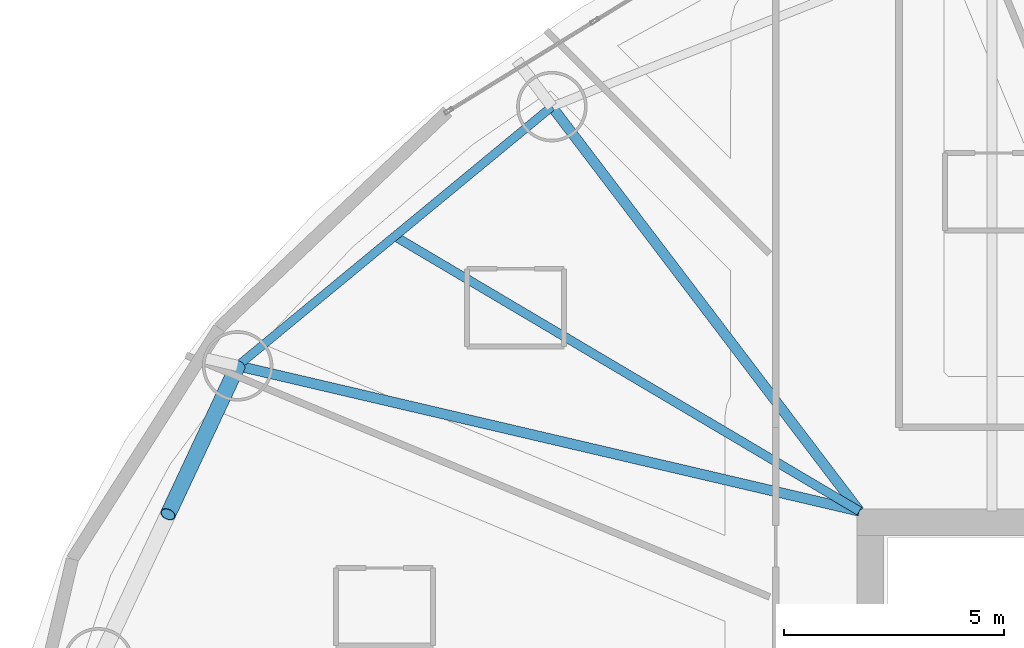
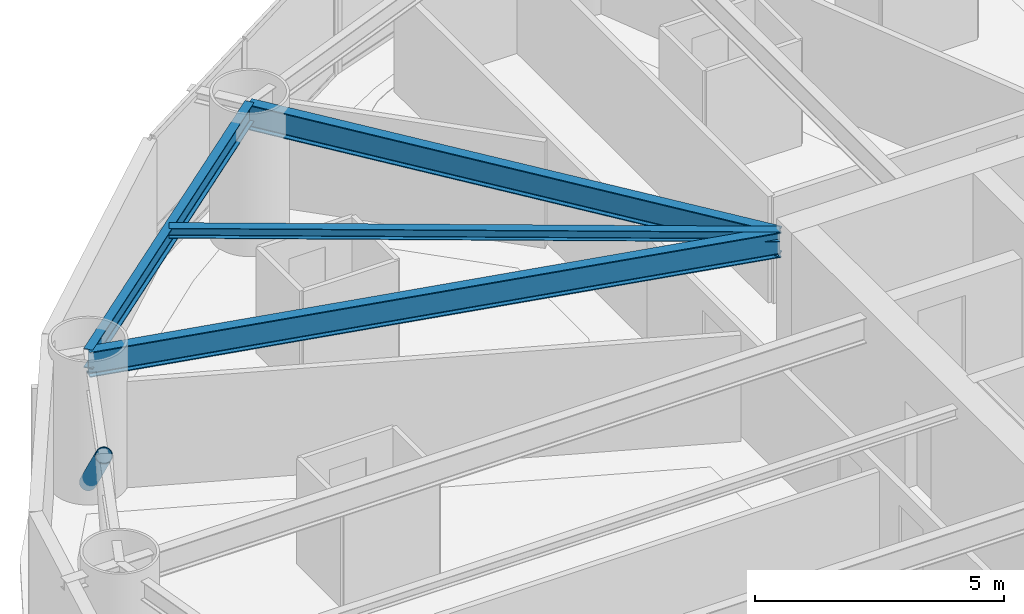
# One storey, part 11 of 27: 4 beams, 1 member.
"""IFC4 building model written with IfcOpenShell, lengths in metres."""

import ifcopenshell
import ifcopenshell.guid

model = None  # the IFC model being written
_history = None  # IfcOwnerHistory: only IFC2X3 demands one
_inside = {}  # id of a spatial element -> (the spatial element, [elements in it])
_under = {}  # id of a project, library or spatial element -> (it, [spatial elements below it])
_declared = {}  # id of a project -> (the project, [libraries it declares])
_typed = {}  # id of a type object -> (the type object, [elements of that type])
_made_of = {}  # id of a material, layer set ... -> (it, [elements and type objects made of it])


def new_model(schema):
    """Start an empty IFC model of exactly this schema.

    Asked for "IFC4X3", IfcOpenShell would pick the latest addendum, in which some entities
    have other attributes; the version numbers below select the first issue.
    IFC2X3 requires an IfcOwnerHistory on every rooted entity: one is made here for all.
    """
    global model, _history
    if schema == "IFC4X3":
        model = ifcopenshell.file(schema_version=(4, 3, 0, 0))
    else:
        model = ifcopenshell.file(schema=schema)
    _inside.clear()
    _under.clear()
    _declared.clear()
    _typed.clear()
    _made_of.clear()
    _history = None
    if model.schema == "IFC2X3":
        org = make("IfcOrganization", Name="unknown")
        user = make(
            "IfcPersonAndOrganization",
            ThePerson=make("IfcPerson", FamilyName="unknown"),
            TheOrganization=org,
        )
        app = make(
            "IfcApplication",
            ApplicationDeveloper=org,
            Version="unknown",
            ApplicationFullName="unknown",
            ApplicationIdentifier="unknown",
        )
        _history = make(
            "IfcOwnerHistory",
            OwningUser=user,
            OwningApplication=app,
            ChangeAction="ADDED",
            CreationDate=0,
        )
    return model


def make(cls, **values):
    """One entity of the class cls with the attributes given. An attribute that is None is left unset."""
    return model.create_entity(
        cls, **{name: value for name, value in values.items() if value is not None}
    )


def rooted(cls, **values):
    """An entity with a GlobalId (a new one), such as an element, a storey or a relation."""
    return make(cls, GlobalId=ifcopenshell.guid.new(), OwnerHistory=_history, **values)


def si_unit(unit_type, name, prefix=None):
    """IfcSIUnit, for example si_unit("LENGTHUNIT", "METRE", prefix="MILLI")."""
    return make("IfcSIUnit", UnitType=unit_type, Prefix=prefix, Name=name)


def assignment(units):
    """IfcUnitAssignment: the units of a project."""
    return None if units is None else make("IfcUnitAssignment", Units=units)


def point(xyz):
    """IfcCartesianPoint."""
    return None if xyz is None else make("IfcCartesianPoint", Coordinates=xyz)


def direction(xyz):
    """IfcDirection."""
    return None if xyz is None else make("IfcDirection", DirectionRatios=xyz)


def frame(location, z_axis=None, x_axis=None):
    """IfcAxis2Placement3D, a coordinate frame: its origin and axes. An axis left out is left unset."""
    return make(
        "IfcAxis2Placement3D",
        Location=point(location),
        Axis=direction(z_axis),
        RefDirection=direction(x_axis),
    )


def frame_2d(location, x_axis=None):
    """IfcAxis2Placement2D, a coordinate frame in the plane: its origin and x axis."""
    return make(
        "IfcAxis2Placement2D", Location=point(location), RefDirection=direction(x_axis)
    )


def origin():
    """The frame at (0, 0, 0) with its axes left unset."""
    return frame((0.0, 0.0, 0.0))


def origin_2d():
    """The frame at (0, 0) in the plane with its x axis left unset."""
    return frame_2d((0.0, 0.0))


def place(relative_to, where):
    """IfcLocalPlacement: puts the frame where relative to a parent placement (None: the world)."""
    return make(
        "IfcLocalPlacement", PlacementRelTo=relative_to, RelativePlacement=where
    )


def context(
    kind, dimensions, precision=None, world=None, true_north=None, identifier=None
):
    """IfcGeometricRepresentationContext, for example the 3D "Model" context."""
    return make(
        "IfcGeometricRepresentationContext",
        ContextIdentifier=identifier,
        ContextType=kind,
        CoordinateSpaceDimension=dimensions,
        Precision=precision,
        WorldCoordinateSystem=world,
        TrueNorth=true_north,
    )


def subcontext(parent, identifier, kind, view, scale=None):
    """IfcGeometricRepresentationSubContext, for example "Body" below "Model"."""
    return make(
        "IfcGeometricRepresentationSubContext",
        ContextIdentifier=identifier,
        ContextType=kind,
        ParentContext=parent,
        TargetScale=scale,
        TargetView=view,
    )


def project(units=None, contexts=None):
    """IfcProject with its units and contexts."""
    return rooted(
        "IfcProject",
        Name="project",
        RepresentationContexts=contexts,
        UnitsInContext=assignment(units),
    )


def spatial(cls, under=None, at=None, **own):
    """A site, building, storey or space (cls), placed at a placement, below another one or the project."""
    s = rooted(cls, ObjectPlacement=at, **own)
    if under is not None:
        _under.setdefault(under.id(), (under, []))[1].append(s)
    return s


def profile(cls, at=None, kind="AREA", **sizes):
    """A parametric profile (cls). Its sizes go by their IFC names, for example OverallWidth=200.0."""
    return make(cls, ProfileType=kind, Position=at, **sizes)


def hollow_circle(**sizes):
    """IfcCircleHollowProfileDef."""
    return profile("IfcCircleHollowProfileDef", **sizes)


def i_section(**sizes):
    """IfcIShapeProfileDef."""
    return profile("IfcIShapeProfileDef", **sizes)


def extrude(swept, where, along, depth):
    """IfcExtrudedAreaSolid: the profile swept, set in the frame where, extruded along a direction by depth."""
    return make(
        "IfcExtrudedAreaSolid",
        SweptArea=swept,
        Position=where,
        ExtrudedDirection=direction(along),
        Depth=depth,
    )


def shape(context_of_items, identifier, shape_type, items):
    """IfcShapeRepresentation: the items that make up one representation, for example the "Body"."""
    return make(
        "IfcShapeRepresentation",
        ContextOfItems=context_of_items,
        RepresentationIdentifier=identifier,
        RepresentationType=shape_type,
        Items=items,
    )


def material(Name=None, Category=None):
    """IfcMaterial."""
    return make("IfcMaterial", Name=Name, Category=Category)


def material_profile(
    of_material, cross_section, Name=None, Category=None, Priority=None
):
    """IfcMaterialProfile: a cross section and its material."""
    return make(
        "IfcMaterialProfile",
        Name=Name,
        Material=of_material,
        Profile=cross_section,
        Priority=Priority,
        Category=Category,
    )


def profile_set(profiles, Name=None, composite=None):
    """IfcMaterialProfileSet."""
    return make(
        "IfcMaterialProfileSet",
        Name=Name,
        MaterialProfiles=profiles,
        CompositeProfile=composite,
    )


def made_of(thing, what):
    """Note that an element or type object is made of a material, layer set ...; save() writes the relation."""
    if what is not None:
        _made_of.setdefault(what.id(), (what, []))[1].append(thing)
    return thing


def type_object(cls, material=None, **own):
    """A type object (cls), such as IfcWallType, which elements share."""
    return made_of(rooted(cls, **own), material)


def element(
    cls,
    number,
    at=None,
    inside=None,
    cuts=None,
    type_object=None,
    material=None,
    context=None,
    identifier="Body",
    shape_type=None,
    held_by="IfcProductDefinitionShape",
    body=None,
    shapes=None,
    **own,
):
    """One element of the class cls, such as IfcWall. Its Tag is "e" and its number.

    at: its placement. inside: the storey or other place that contains it. cuts: it is an
    opening in that element (IfcRelVoidsElement). A single representation is given by context,
    identifier, shape_type and body (its items); several are given by shapes. held_by: the class
    of the entity that holds the representations. save() writes the other relations.
    """
    e = rooted(cls, Tag="e%d" % number, ObjectPlacement=at, **own)
    if body is not None:
        shapes = [shape(context, identifier, shape_type, body)]
    if shapes is not None:
        e.Representation = make(held_by, Representations=shapes)
    if inside is not None:
        _inside.setdefault(inside.id(), (inside, []))[1].append(e)
    if cuts is not None:
        rooted(
            "IfcRelVoidsElement", RelatingBuildingElement=cuts, RelatedOpeningElement=e
        )
    if type_object is not None:
        _typed.setdefault(type_object.id(), (type_object, []))[1].append(e)
    return made_of(e, material)


def aggregate(whole, parts):
    """IfcRelAggregates: a whole, such as a stair, and the parts it consists of."""
    return rooted("IfcRelAggregates", RelatingObject=whole, RelatedObjects=parts)


def save(model, path):
    """Write the relations noted so far, then the file.

    IfcRelAggregates (storeys below a building ...), IfcRelContainedInSpatialStructure (elements
    in a storey), IfcRelDefinesByType, IfcRelAssociatesMaterial and IfcRelDeclares: one each for
    every whole, place, type object, material and project.
    """
    for whole, parts in _under.values():
        aggregate(whole, parts)
    for where, things in _inside.values():
        rooted(
            "IfcRelContainedInSpatialStructure",
            RelatedElements=things,
            RelatingStructure=where,
        )
    for kind, things in _typed.values():
        rooted("IfcRelDefinesByType", RelatedObjects=things, RelatingType=kind)
    for what, things in _made_of.values():
        rooted("IfcRelAssociatesMaterial", RelatedObjects=things, RelatingMaterial=what)
    for by, libraries in _declared.values():
        rooted("IfcRelDeclares", RelatingContext=by, RelatedDefinitions=libraries)
    model.write(path)


model = new_model("IFC4")

# Units and contexts
model_context = context("Model", 3, precision=1e-05, world=origin(), true_north=direction((0.0, 1.0)))
body_context = subcontext(model_context, "Body", "Model", "MODEL_VIEW")
ifc_project = project(units=[si_unit("LENGTHUNIT", "METRE"), si_unit("AREAUNIT", "SQUARE_METRE"), si_unit("VOLUMEUNIT", "CUBIC_METRE"), si_unit("PLANEANGLEUNIT", "RADIAN"), si_unit("MASSUNIT", "GRAM", prefix="KILO")], contexts=[model_context])

# Site, building, storey
site_placement = place(None, origin())
site = spatial("IfcSite", under=ifc_project, at=site_placement, CompositionType="ELEMENT")
building_placement = place(site_placement, origin())
building = spatial("IfcBuilding", under=site, at=building_placement, Name="Bramvorn Convention Spire", CompositionType="ELEMENT")
storey_placement = place(building_placement, frame((0.0, 0.0, 44.89990234375)))
storey = spatial("IfcBuildingStorey", under=building, at=storey_placement, Name="L08", CompositionType="ELEMENT", Elevation=44.89990234375)

# Beams
ifc_material = material(Name="Steel CSA G40.21 Grade 350 (350W)", Category="steel")
ifc_material_profile_1 = material_profile(ifc_material, i_section(OverallWidth=0.201904296875, OverallDepth=0.2470703125, WebThickness=0.00732421875, FlangeThickness=0.010986328125, FilletRadius=0.011962890625, at=origin_2d()))
ifc_profile_set_1 = profile_set([ifc_material_profile_1], Name="Steel CSA G40.21 Grade 350 (350W) - W250X49")
beam_type_1 = type_object("IfcBeamType", Name="BM-W250X49", PredefinedType="JOIST", material=ifc_profile_set_1)
beam_1_placement = place(storey_placement, frame((26.75, 33.449951171875, 3.126708984375), z_axis=(-0.860664556648, 0.509172388223, 0.0), x_axis=(-0.509172388223, -0.860664556648, 0.0)))
element("IfcBeam", 1, at=beam_1_placement, inside=storey, type_object=beam_type_1, Name="L08 composite floor joist 07", PredefinedType="JOIST", context=body_context, shape_type="SweptSolid", body=[
    extrude(i_section(OverallWidth=0.201904296875, OverallDepth=0.2470703125, WebThickness=0.00732421875, FlangeThickness=0.010986328125, FilletRadius=0.011962890625, at=origin_2d()), origin(), (0.0, 0.0, 1.0), 12.25048828125),
])
ifc_material_profile_2 = material_profile(ifc_material, i_section(OverallWidth=0.194091796875, OverallDepth=0.468994140625, WebThickness=0.0126953125, FlangeThickness=0.0205078125, FilletRadius=0.01806640625, at=origin_2d()))
ifc_profile_set_2 = profile_set([ifc_material_profile_2], Name="Steel CSA G40.21 Grade 350 (350W) - W460X106")
beam_type_2 = type_object("IfcBeamType", Name="BM-W460X106", PredefinedType="SPANDREL", material=ifc_profile_set_2)
beam_2_placement = place(storey_placement, frame((19.772216796875, 42.628662109375, 3.015625), z_axis=(-0.771417680101, -0.636329130896, 0.0), x_axis=(0.636329130896, -0.771417680101, 0.0)))
element("IfcBeam", 2, at=beam_2_placement, inside=storey, type_object=beam_type_2, Name="L08 mega-column ring beam 07", PredefinedType="SPANDREL", context=body_context, shape_type="SweptSolid", body=[
    extrude(i_section(OverallWidth=0.194091796875, OverallDepth=0.468994140625, WebThickness=0.0126953125, FlangeThickness=0.0205078125, FilletRadius=0.01806640625, at=origin_2d()), origin(), (0.0, 0.0, 1.0), 9.244140625),
])
ifc_material_profile_3 = material_profile(ifc_material, i_section(OverallWidth=0.22998046875, OverallDepth=0.616943359375, WebThickness=0.01318359375, FlangeThickness=0.022216796875, FilletRadius=0.02001953125, at=origin_2d()))
ifc_profile_set_3 = profile_set([ifc_material_profile_3], Name="Steel CSA G40.21 Grade 350 (350W) - W610X140")
beam_type_3 = type_object("IfcBeamType", Name="BM-W610X140", PredefinedType="BEAM", material=ifc_profile_set_3)
beam_3_placement = place(storey_placement, frame((26.75, 33.449951171875, 2.941650390625), z_axis=(-0.605191175112, 0.796080172826, 0.0), x_axis=(-0.796080172826, -0.605191175112, 0.0)))
element("IfcBeam", 3, at=beam_3_placement, inside=storey, type_object=beam_type_3, Name="L08 radial floor girder MC07", PredefinedType="BEAM", context=body_context, shape_type="SweptSolid", body=[
    extrude(i_section(OverallWidth=0.22998046875, OverallDepth=0.616943359375, WebThickness=0.01318359375, FlangeThickness=0.022216796875, FilletRadius=0.02001953125, at=origin_2d()), origin(), (0.0, 0.0, 1.0), 11.52978515625),
])
beam_4_placement = place(storey_placement, frame((26.75, 33.449951171875, 2.941650390625), z_axis=(-0.973775294862, 0.227511923018, 0.0), x_axis=(-0.227511923018, -0.973775294862, 0.0)))
element("IfcBeam", 4, at=beam_4_placement, inside=storey, type_object=beam_type_3, Name="L08 radial floor girder MC08", PredefinedType="BEAM", context=body_context, shape_type="SweptSolid", body=[
    extrude(i_section(OverallWidth=0.22998046875, OverallDepth=0.616943359375, WebThickness=0.01318359375, FlangeThickness=0.022216796875, FilletRadius=0.02001953125, at=origin_2d()), origin(), (0.0, 0.0, 1.0), 14.48876953125),
])

# Member
ifc_material_profile_4 = material_profile(ifc_material, hollow_circle(Radius=0.177734375, WallThickness=0.015869140625, at=origin_2d()))
ifc_profile_set_4 = profile_set([ifc_material_profile_4], Name="Steel CSA G40.21 Grade 350 (350W) - CHS356X16")
member_type = type_object("IfcMemberType", Name="MBR-CHS356X16", PredefinedType="BRACE", material=ifc_profile_set_4)
member_placement = place(storey_placement, frame((12.64111328125, 36.746337890625, 0.0), z_axis=(-0.319854623913, -0.681908513826, 0.65779464754), x_axis=(0.905351753695, -0.424662456643, 0.0)))
element("IfcMember", 5, at=member_placement, inside=storey, type_object=member_type, Name="L08 perimeter Gothic lancet brace 8A", PredefinedType="BRACE", context=body_context, shape_type="SweptSolid", body=[
    extrude(hollow_circle(Radius=0.177734375, WallThickness=0.015869140625, at=origin_2d()), origin(), (0.0, 0.0, 1.0), 4.940673828125),
])

save(model, "model.ifc")
